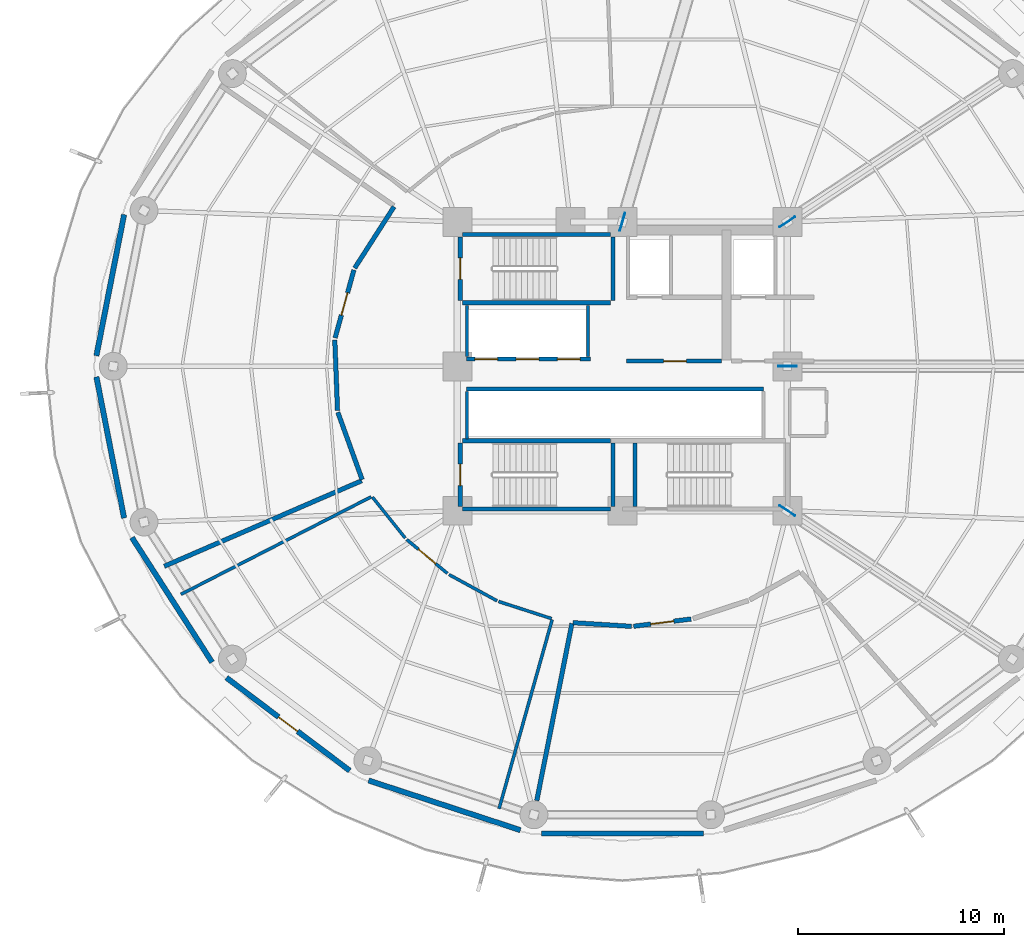
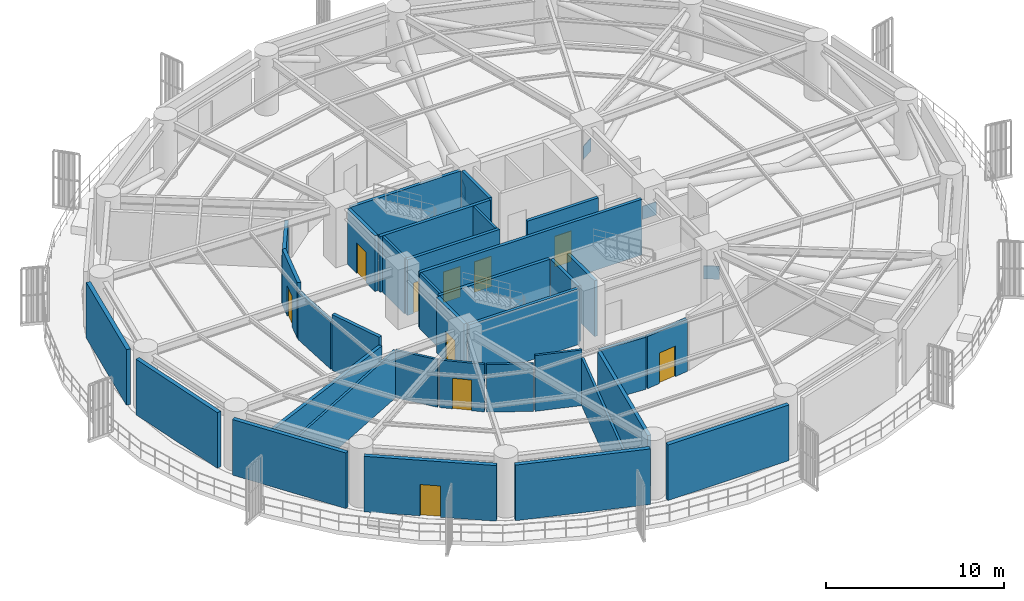
# One storey, part 4 of 10: 35 walls, 10 doors, 4 plates, 10 openings.
"""IFC4 building model written with IfcOpenShell, lengths in metres."""

from ifc_helpers import new_model, si_unit, direction, frame, frame_2d, origin, origin_2d, place, context, subcontext, project, spatial, rectangle, extrude, source, transform, mapped, material, layer, layer_set, type_object, element, fill, save


model = new_model("IFC4")

# Units and contexts
model_context = context("Model", 3, precision=1e-05, world=origin(), true_north=direction((0.0, 1.0)))
body_context = subcontext(model_context, "Body", "Model", "MODEL_VIEW")
ifc_project = project(units=[si_unit("LENGTHUNIT", "METRE"), si_unit("AREAUNIT", "SQUARE_METRE"), si_unit("VOLUMEUNIT", "CUBIC_METRE"), si_unit("PLANEANGLEUNIT", "RADIAN"), si_unit("MASSUNIT", "GRAM", prefix="KILO")], contexts=[model_context])

# Site, building, storey
site_placement = place(None, origin())
site = spatial("IfcSite", under=ifc_project, at=site_placement, CompositionType="ELEMENT")
building_placement = place(site_placement, origin())
building = spatial("IfcBuilding", under=site, at=building_placement, Name="Kelanora Arch Commons", CompositionType="ELEMENT")
storey_placement = place(building_placement, frame((0.0, 0.0, 72.260009765625)))
storey = spatial("IfcBuildingStorey", under=building, at=storey_placement, Name="L18", CompositionType="ELEMENT", Elevation=72.260009765625)

# Plates
ifc_material_1 = material(Name="Steel S355", Category="steel")
ifc_layer_1 = layer(ifc_material_1, 0.0400390625)
ifc_layer_set_1 = layer_set([ifc_layer_1], Name="Steel S355")
plate_type = type_object("IfcPlateType", Name="PLT-OUT-GUS", PredefinedType="SHEET", material=ifc_layer_set_1)
shared_shape = source(origin(), body_context, "Body", "SweptSolid", [
    extrude(rectangle(XDim=0.89990234375, YDim=0.0400390625, at=origin_2d()), origin(), (0.0, 0.0, 1.0), 0.89990234375),
])
for number, where, z_axis, x_axis, name in (
    (1, (82.0, 51.0, 1.465087890625), (0.0, 0.0, 1.0), (0.834790943057, -0.5505670544, 0.0), "Outrigger Gusset Plate 32 L18"),
    (2, (82.0, 58.0, 1.465087890625), (0.0, 0.0, 1.0), (1.0, 0.0, 0.0), "Outrigger Gusset Plate 00 L18"),
    (3, (82.0, 65.0, 1.465087890625), (0.0, 0.0, 1.0), (0.834790943057, 0.5505670544, 0.0), "Outrigger Gusset Plate 04 L18"),
    (4, (74.0, 65.0, 1.465087890625), (0.0, 0.0, 1.0), (0.279105074894, 0.96026056733, 0.0), "Outrigger Gusset Plate 08 L18"),
):
    element("IfcPlate", number, at=place(storey_placement, frame(where, z_axis=z_axis, x_axis=x_axis)), inside=storey, type_object=plate_type, Name=name, PredefinedType="SHEET", context=body_context, shape_type="MappedRepresentation", body=[
        mapped(shared_shape, transform((0.0, 0.0, 0.0), scale=1.0)),
    ])

# Walls
ifc_material_2 = material(Name="Autoclaved aerated concrete blockwork with fire plaster", Category="masonry")
ifc_layer_2 = layer(ifc_material_2, 0.14990234375)
ifc_layer_set_2 = layer_set([ifc_layer_2], Name="Autoclaved aerated concrete blockwork with fire plaster")
wall_type_1 = type_object("IfcWallType", Name="W-COMP-150", PredefinedType="PARTITIONING", material=ifc_layer_set_2)
for number, where, z_axis, x_axis, name in (
    (5, (66.4599609375, 58.47998046875, 0.0), (0.0, 0.0, 1.0), (0.0, 1.0, 0.0), "Low-Rise Lift Bank West Wall L18"),
    (6, (72.340087890625, 58.47998046875, 0.0), (0.0, 0.0, 1.0), (0.0, 1.0, 0.0), "Low-Rise Lift Bank East Wall L18"),
):
    element("IfcWall", number, at=place(storey_placement, frame(where, z_axis=z_axis, x_axis=x_axis)), inside=storey, type_object=wall_type_1, Name=name, PredefinedType="PARTITIONING", context=body_context, shape_type="SweptSolid", body=[
        extrude(rectangle(XDim=2.4599609375, YDim=0.14990234375, at=frame_2d((1.22998046875, 0.0))), origin(), (0.0, 0.0, 1.0), 3.820068359375),
    ])
wall_1_placement = place(storey_placement, frame((66.4599609375, 54.47998046875, 0.0), z_axis=(0.0, 0.0, 1.0), x_axis=(0.0, 1.0, 0.0)))
element("IfcWall", 7, at=wall_1_placement, inside=storey, type_object=wall_type_1, Name="South Lift Bank West Wall L18", PredefinedType="PARTITIONING", context=body_context, shape_type="SweptSolid", body=[
    extrude(rectangle(XDim=2.2900390625, YDim=0.14990234375, at=frame_2d((1.14501953125, 0.0))), origin(), (0.0, 0.0, 1.0), 3.820068359375),
])

# Wall, opening, door
wall_2_placement = place(storey_placement, frame((63.546142578125, 49.599609375, 0.0), z_axis=(0.0, 0.0, 1.0), x_axis=(0.768626986837, -0.639697237063, 0.0)))
wall_2 = element("IfcWall", 8, at=wall_2_placement, inside=storey, type_object=wall_type_1, Name="Domestic Booster Pump and Electrical Switchroom L18 Entry Partition", PredefinedType="PARTITIONING", context=body_context, shape_type="SweptSolid", body=[
    extrude(rectangle(XDim=2.56396484375, YDim=0.14990234375, at=frame_2d((1.281982421875, 0.0))), origin(), (0.0, 0.0, 1.0), 3.264892578125),
])
opening_1_placement = place(wall_2_placement, frame((0.741943359375, 0.0, 0.0)))
opening_1 = element("IfcOpeningElement", 9, at=opening_1_placement, cuts=wall_2, Name="Opening D-PLT1", PredefinedType="OPENING", context=body_context, shape_type="SweptSolid", body=[
    extrude(rectangle(XDim=1.080078125, YDim=2.10009765625, at=frame_2d((0.5400390625, 1.050048828125))), frame((0.0, 0.0849609375, 0.0), z_axis=(0.0, -1.0, 0.0), x_axis=(1.0, 0.0, 0.0)), (0.0, 0.0, 1.0), 0.169921875),
])
ifc_material_3 = material(Name="Galvanised steel plant and riser fire door", Category="steel")
door_type_1 = type_object("IfcDoorType", Name="D-PLT-110", OperationType="NOTDEFINED", PredefinedType="DOOR", material=ifc_material_3)
door_1_placement = place(opening_1_placement, origin())
door_1 = element("IfcDoor", 10, at=door_1_placement, inside=storey, type_object=door_type_1, Name="Domestic Booster Pump and Electrical Switchroom L18 Door", OperationType="SINGLE_SWING_RIGHT", OverallHeight=2.10009765625, OverallWidth=1.080078125, PredefinedType="DOOR", context=body_context, shape_type="SweptSolid", body=[
    extrude(rectangle(XDim=1.080078125, YDim=2.10009765625, at=frame_2d((0.5400390625, 1.050048828125))), frame((0.0, 0.02490234375, 0.0), z_axis=(0.0, -1.0, 0.0), x_axis=(1.0, 0.0, 0.0)), (0.0, 0.0, 1.0), 0.050048828125),
])
fill(opening_1, door_1)

# Walls
wall_3_placement = place(storey_placement, frame((61.883056640625, 51.65869140625, 0.0), z_axis=(0.0, 0.0, 1.0), x_axis=(0.62480020311, -0.780784673385, 0.0)))
element("IfcWall", 11, at=wall_3_placement, inside=storey, type_object=wall_type_1, Name="Domestic Booster Pump and Electrical Switchroom L18 Enclosure Partition 1", PredefinedType="PARTITIONING", context=body_context, shape_type="SweptSolid", body=[
    extrude(rectangle(XDim=2.548095703125, YDim=0.14990234375, at=frame_2d((1.27392578125, 0.0))), origin(), (0.0, 0.0, 1.0), 3.264892578125),
])
wall_4_placement = place(storey_placement, frame((65.59814453125, 47.90185546875, 0.0), z_axis=(0.0, 0.0, 1.0), x_axis=(0.877526475728, -0.479528189366, 0.0)))
element("IfcWall", 12, at=wall_4_placement, inside=storey, type_object=wall_type_1, Name="Domestic Booster Pump and Electrical Switchroom L18 Enclosure Partition 3", PredefinedType="PARTITIONING", context=body_context, shape_type="SweptSolid", body=[
    extrude(rectangle(XDim=2.656005859375, YDim=0.14990234375, at=frame_2d((1.328125, 0.0))), origin(), (0.0, 0.0, 1.0), 3.264892578125),
])
wall_5_placement = place(storey_placement, frame((68.002197265625, 46.5966796875, 0.0), z_axis=(0.0, 0.0, 1.0), x_axis=(0.951591716266, -0.307364938686, 0.0)))
element("IfcWall", 13, at=wall_5_placement, inside=storey, type_object=wall_type_1, Name="Domestic Booster Pump and Electrical Switchroom L18 Enclosure Partition 4", PredefinedType="PARTITIONING", context=body_context, shape_type="SweptSolid", body=[
    extrude(rectangle(XDim=2.6982421875, YDim=0.14990234375, at=frame_2d((1.34912109375, 0.0))), origin(), (0.0, 0.0, 1.0), 3.820068359375),
])
wall_6_placement = place(storey_placement, frame((70.59716796875, 45.716552734375, 0.0), z_axis=(0.0, 0.0, 1.0), x_axis=(-0.270293489238, -0.962777975275, 0.0)))
element("IfcWall", 14, at=wall_6_placement, inside=storey, type_object=wall_type_1, Name="Domestic Booster Pump and Electrical Switchroom L18 Enclosure Partition 5", PredefinedType="PARTITIONING", context=body_context, shape_type="SweptSolid", body=[
    extrude(rectangle(XDim=9.524658203125, YDim=0.14990234375, at=frame_2d((4.76220703125, 0.0))), origin(), (0.0, 0.0, 1.0), 3.264892578125),
])
wall_7_placement = place(storey_placement, frame((52.6015625, 46.943359375, 0.0), z_axis=(0.0, 0.0, 1.0), x_axis=(0.889833896524, 0.456284600439, 0.0)))
element("IfcWall", 15, at=wall_7_placement, inside=storey, type_object=wall_type_1, Name="Domestic Booster Pump and Electrical Switchroom L18 Enclosure Partition 10", PredefinedType="PARTITIONING", context=body_context, shape_type="SweptSolid", body=[
    extrude(rectangle(XDim=10.362548828125, YDim=0.14990234375, at=frame_2d((5.18115234375, 0.0))), origin(), (0.0, 0.0, 1.0), 3.264892578125),
])
ifc_material_4 = material(Name="Precast concrete C40/50 with terracotta rainscreen", Category="masonry")
ifc_layer_3 = layer(ifc_material_4, 0.260009765625)
ifc_layer_set_3 = layer_set([ifc_layer_3], Name="Precast concrete C40/50 with terracotta rainscreen")
wall_type_2 = type_object("IfcWallType", Name="W-EXT-TC", PredefinedType="SOLIDWALL", material=ifc_layer_set_3)
for number, where, z_axis, x_axis, name in (
    (16, (49.84375, 65.356201171875, 0.0), (0.0, 0.0, 1.0), (-0.192608720108, -0.981275639634, 0.0), "Mechanical Louvre Precast Backing Wall L18-09"),
    (17, (48.5, 57.48974609375, 0.0), (0.0, 0.0, 1.0), (0.192608720108, -0.981275639634, 0.0), "Mechanical Louvre Precast Backing Wall L18-10"),
):
    element("IfcWall", number, at=place(storey_placement, frame(where, z_axis=z_axis, x_axis=x_axis)), inside=storey, type_object=wall_type_2, Name=name, PredefinedType="SOLIDWALL", context=body_context, shape_type="SweptSolid", body=[
        extrude(rectangle(XDim=6.9765625, YDim=0.260009765625, at=frame_2d((3.48828125, 0.0))), origin(), (0.0, 0.0, 1.0), 3.81494140625),
    ])
wall_8_placement = place(storey_placement, frame((50.22509765625, 49.696044921875, 0.0), z_axis=(0.0, 0.0, 1.0), x_axis=(0.540604690505, -0.841276749116, 0.0)))
element("IfcWall", 18, at=wall_8_placement, inside=storey, type_object=wall_type_2, Name="Mechanical Louvre Precast Backing Wall L18-11", PredefinedType="SOLIDWALL", context=body_context, shape_type="SweptSolid", body=[
    extrude(rectangle(XDim=7.182861328125, YDim=0.260009765625, at=frame_2d((3.59130859375, 0.0))), origin(), (0.0, 0.0, 1.0), 3.81494140625),
])

# Wall, opening, door
wall_9_placement = place(storey_placement, frame((54.804443359375, 42.90283203125, 0.0), z_axis=(0.0, 0.0, 1.0), x_axis=(0.798511093866, -0.601980093502, 0.0)))
wall_9 = element("IfcWall", 19, at=wall_9_placement, inside=storey, type_object=wall_type_2, Name="Mechanical Louvre Precast Backing Wall L18-12", PredefinedType="SOLIDWALL", context=body_context, shape_type="SweptSolid", body=[
    extrude(rectangle(XDim=7.489501953125, YDim=0.260009765625, at=frame_2d((3.74462890625, 0.0))), origin(), (0.0, 0.0, 1.0), 3.81494140625),
])
opening_2_placement = place(wall_9_placement, frame((3.169921875, 0.0, 0.0)))
opening_2 = element("IfcOpeningElement", 20, at=opening_2_placement, cuts=wall_9, Name="Opening DT-01", PredefinedType="OPENING", context=body_context, shape_type="SweptSolid", body=[
    extrude(rectangle(XDim=1.14990234375, YDim=2.14990234375, at=frame_2d((0.574951171875, 1.074951171875))), frame((0.0, 0.14013671875, 0.0), z_axis=(0.0, -1.0, 0.0), x_axis=(1.0, 0.0, 0.0)), (0.0, 0.0, 1.0), 0.280029296875),
])
ifc_material_5 = material(Name="Weather-sealed aluminium terrace door", Category="aluminium")
door_type_2 = type_object("IfcDoorType", Name="D-TERR-12", OperationType="NOTDEFINED", PredefinedType="DOOR", material=ifc_material_5)
door_2_placement = place(opening_2_placement, frame((1.14990234375, 0.0, 0.0), z_axis=(0.0, 0.0, 1.0), x_axis=(-1.0, 0.0, 0.0)))
door_2 = element("IfcDoor", 21, at=door_2_placement, inside=storey, type_object=door_type_2, Name="Setback Terrace Maintenance Door L18-11", OperationType="SINGLE_SWING_RIGHT", OverallHeight=2.14990234375, OverallWidth=1.14990234375, PredefinedType="DOOR", context=body_context, shape_type="SweptSolid", body=[
    extrude(rectangle(XDim=1.14990234375, YDim=2.14990234375, at=frame_2d((0.574951171875, 1.074951171875))), frame((0.0, 0.02490234375, 0.0), z_axis=(0.0, -1.0, 0.0), x_axis=(1.0, 0.0, 0.0)), (0.0, 0.0, 1.0), 0.050048828125),
])
fill(opening_2, door_2)

# Walls
wall_10_placement = place(storey_placement, frame((61.694091796875, 37.919921875, 0.0), z_axis=(0.0, 0.0, 1.0), x_axis=(0.950466692879, -0.310826423792, 0.0)))
element("IfcWall", 22, at=wall_10_placement, inside=storey, type_object=wall_type_2, Name="Mechanical Louvre Precast Backing Wall L18-13", PredefinedType="SOLIDWALL", context=body_context, shape_type="SweptSolid", body=[
    extrude(rectangle(XDim=7.75, YDim=0.260009765625, at=frame_2d((3.875, 0.0))), origin(), (0.0, 0.0, 1.0), 3.81494140625),
])
wall_11_placement = place(storey_placement, frame((70.07470703125, 35.349365234375, 0.0), z_axis=(0.0, 0.0, 1.0), x_axis=(1.0, 0.0, 0.0)))
element("IfcWall", 23, at=wall_11_placement, inside=storey, type_object=wall_type_2, Name="Mechanical Louvre Precast Backing Wall L18-14", PredefinedType="SOLIDWALL", context=body_context, shape_type="SweptSolid", body=[
    extrude(rectangle(XDim=7.8505859375, YDim=0.260009765625, at=frame_2d((3.92529296875, 0.0))), origin(), (0.0, 0.0, 1.0), 3.81494140625),
])

# Wall, opening, door
ifc_material_6 = material(Name="Concrete C40/50", Category="concrete")
ifc_layer_4 = layer(ifc_material_6, 0.199951171875)
ifc_layer_set_4 = layer_set([ifc_layer_4], Name="Concrete C40/50")
wall_type_3 = type_object("IfcWallType", Name="W-FFL-200", PredefinedType="SOLIDWALL", material=ifc_layer_set_4)
wall_12_placement = place(storey_placement, frame((74.199951171875, 58.25, 0.0), z_axis=(0.0, 0.0, 1.0), x_axis=(1.0, 0.0, 0.0)))
wall_12 = element("IfcWall", 24, at=wall_12_placement, inside=storey, type_object=wall_type_3, Name="Firefighting Lobby 1 Enclosure Wall L18", PredefinedType="SOLIDWALL", context=body_context, shape_type="SweptSolid", body=[
    extrude(rectangle(XDim=4.60009765625, YDim=0.199951171875, at=frame_2d((2.300048828125, 0.0))), origin(), (0.0, 0.0, 1.0), 3.820068359375),
])
opening_3_placement = place(wall_12_placement, frame((1.800048828125, 0.0, 0.0)))
opening_3 = element("IfcOpeningElement", 25, at=opening_3_placement, cuts=wall_12, Name="Opening D-FFL1", PredefinedType="OPENING", context=body_context, shape_type="SweptSolid", body=[
    extrude(rectangle(XDim=1.10009765625, YDim=2.10009765625, at=frame_2d((0.550048828125, 1.050048828125))), frame((0.0, 0.10986328125, 0.0), z_axis=(0.0, -1.0, 0.0), x_axis=(1.0, 0.0, 0.0)), (0.0, 0.0, 1.0), 0.219970703125),
])
ifc_material_7 = material(Name="Smoke-sealed firefighting lobby fire door")
door_type_3 = type_object("IfcDoorType", Name="D-FFL-110", OperationType="NOTDEFINED", PredefinedType="DOOR", material=ifc_material_7)
door_3_placement = place(opening_3_placement, frame((1.10009765625, 0.0, 0.0), z_axis=(0.0, 0.0, 1.0), x_axis=(-1.0, 0.0, 0.0)))
door_3 = element("IfcDoor", 26, at=door_3_placement, inside=storey, type_object=door_type_3, Name="Firefighting Lobby 1 Door L18", OperationType="SINGLE_SWING_LEFT", OverallHeight=2.10009765625, OverallWidth=1.10009765625, PredefinedType="DOOR", context=body_context, shape_type="SweptSolid", body=[
    extrude(rectangle(XDim=1.10009765625, YDim=2.10009765625, at=frame_2d((0.550048828125, 1.050048828125))), frame((0.0, 0.02490234375, 0.0), z_axis=(0.0, -1.0, 0.0), x_axis=(1.0, 0.0, 0.0)), (0.0, 0.0, 1.0), 0.050048828125),
])
fill(opening_3, door_3)

# Wall, openings, doors
wall_13_placement = place(storey_placement, frame((66.449951171875, 58.35009765625, 0.0), z_axis=(0.0, 0.0, 1.0), x_axis=(1.0, 0.0, 0.0)))
wall_13 = element("IfcWall", 27, at=wall_13_placement, inside=storey, type_object=wall_type_3, Name="Low-Rise Passenger Lift Shaft Front L18", PredefinedType="SOLIDWALL", context=body_context, shape_type="SweptSolid", body=[
    extrude(rectangle(XDim=6.0, YDim=0.199951171875, at=frame_2d((3.0, 0.0))), origin(), (0.0, 0.0, 1.0), 3.820068359375),
])
opening_4_placement = place(wall_13_placement, frame((0.39990234375, 0.0, 0.0)))
opening_4 = element("IfcOpeningElement", 28, at=opening_4_placement, cuts=wall_13, Name="Opening LD-01", PredefinedType="OPENING", context=body_context, shape_type="SweptSolid", body=[
    extrude(rectangle(XDim=1.10009765625, YDim=2.10009765625, at=frame_2d((0.550048828125, 1.050048828125))), frame((0.0, 0.10986328125, 0.0), z_axis=(0.0, -1.0, 0.0), x_axis=(1.0, 0.0, 0.0)), (0.0, 0.0, 1.0), 0.219970703125),
])
opening_5_placement = place(wall_13_placement, frame((2.39990234375, 0.0, 0.0)))
opening_5 = element("IfcOpeningElement", 29, at=opening_5_placement, cuts=wall_13, Name="Opening LD-01", PredefinedType="OPENING", context=body_context, shape_type="SweptSolid", body=[
    extrude(rectangle(XDim=1.10009765625, YDim=2.10009765625, at=frame_2d((0.550048828125, 1.050048828125))), frame((0.0, 0.10986328125, 0.0), z_axis=(0.0, -1.0, 0.0), x_axis=(1.0, 0.0, 0.0)), (0.0, 0.0, 1.0), 0.219970703125),
])
opening_6_placement = place(wall_13_placement, frame((4.39990234375, 0.0, 0.0)))
opening_6 = element("IfcOpeningElement", 30, at=opening_6_placement, cuts=wall_13, Name="Opening LD-01", PredefinedType="OPENING", context=body_context, shape_type="SweptSolid", body=[
    extrude(rectangle(XDim=1.10009765625, YDim=2.10009765625, at=frame_2d((0.550048828125, 1.050048828125))), frame((0.0, 0.10986328125, 0.0), z_axis=(0.0, -1.0, 0.0), x_axis=(1.0, 0.0, 0.0)), (0.0, 0.0, 1.0), 0.219970703125),
])
ifc_material_8 = material(Name="Stainless steel passenger lift sliding landing door", Category="steel")
door_type_4 = type_object("IfcDoorType", Name="D-LIFT-110", OperationType="NOTDEFINED", PredefinedType="DOOR", material=ifc_material_8)
door_4_placement = place(opening_4_placement, origin())
door_4 = element("IfcDoor", 31, at=door_4_placement, inside=storey, type_object=door_type_4, Name="Passenger Lift LF-P1 Landing Door L18", OperationType="DOUBLE_DOOR_SLIDING", OverallHeight=2.10009765625, OverallWidth=1.10009765625, PredefinedType="DOOR", context=body_context, shape_type="SweptSolid", body=[
    extrude(rectangle(XDim=1.10009765625, YDim=2.10009765625, at=frame_2d((0.550048828125, 1.050048828125))), frame((0.0, 0.02490234375, 0.0), z_axis=(0.0, -1.0, 0.0), x_axis=(1.0, 0.0, 0.0)), (0.0, 0.0, 1.0), 0.050048828125),
])
fill(opening_4, door_4)
door_5_placement = place(opening_5_placement, origin())
door_5 = element("IfcDoor", 32, at=door_5_placement, inside=storey, type_object=door_type_4, Name="Passenger Lift LF-P2 Landing Door L18", OperationType="DOUBLE_DOOR_SLIDING", OverallHeight=2.10009765625, OverallWidth=1.10009765625, PredefinedType="DOOR", context=body_context, shape_type="SweptSolid", body=[
    extrude(rectangle(XDim=1.10009765625, YDim=2.10009765625, at=frame_2d((0.550048828125, 1.050048828125))), frame((0.0, 0.02490234375, 0.0), z_axis=(0.0, -1.0, 0.0), x_axis=(1.0, 0.0, 0.0)), (0.0, 0.0, 1.0), 0.050048828125),
])
fill(opening_5, door_5)
door_6_placement = place(opening_6_placement, origin())
door_6 = element("IfcDoor", 33, at=door_6_placement, inside=storey, type_object=door_type_4, Name="Passenger Lift LF-P3 Landing Door L18", OperationType="DOUBLE_DOOR_SLIDING", OverallHeight=2.10009765625, OverallWidth=1.10009765625, PredefinedType="DOOR", context=body_context, shape_type="SweptSolid", body=[
    extrude(rectangle(XDim=1.10009765625, YDim=2.10009765625, at=frame_2d((0.550048828125, 1.050048828125))), frame((0.0, 0.02490234375, 0.0), z_axis=(0.0, -1.0, 0.0), x_axis=(1.0, 0.0, 0.0)), (0.0, 0.0, 1.0), 0.050048828125),
])
fill(opening_6, door_6)

# Wall
wall_14_placement = place(storey_placement, frame((66.449951171875, 56.89990234375, 0.0), z_axis=(0.0, 0.0, 1.0), x_axis=(1.0, 0.0, 0.0)))
element("IfcWall", 34, at=wall_14_placement, inside=storey, type_object=wall_type_3, Name="Mid/High/Express Lift Shaft Front L18", PredefinedType="SOLIDWALL", context=body_context, shape_type="SweptSolid", body=[
    extrude(rectangle(XDim=14.400146484375, YDim=0.199951171875, at=frame_2d((7.2001953125, 0.0))), origin(), (0.0, 0.0, 1.0), 3.820068359375),
])

# Wall, opening, door
ifc_layer_5 = layer(ifc_material_6, 0.219970703125)
ifc_layer_set_5 = layer_set([ifc_layer_5], Name="Concrete C40/50")
wall_type_4 = type_object("IfcWallType", Name="W-REF-200", PredefinedType="SOLIDWALL", material=ifc_layer_set_5)
wall_15_placement = place(storey_placement, frame((60.985107421875, 62.670166015625, 0.0), z_axis=(0.0, 0.0, 1.0), x_axis=(-0.266899498811, -0.96372436803, 0.0)))
wall_15 = element("IfcWall", 35, at=wall_15_placement, inside=storey, type_object=wall_type_4, Name="Protected Fire Refuge Holding Area L18-West Entry Partition", PredefinedType="SOLIDWALL", context=body_context, shape_type="SweptSolid", body=[
    extrude(rectangle(XDim=3.41748046875, YDim=0.219970703125, at=frame_2d((1.708740234375, 0.0))), origin(), (0.0, 0.0, 1.0), 3.820068359375),
])
opening_7_placement = place(wall_15_placement, frame((1.14892578125, 0.0, 0.0)))
opening_7 = element("IfcOpeningElement", 36, at=opening_7_placement, cuts=wall_15, Name="Opening D-REF1", PredefinedType="OPENING", context=body_context, shape_type="SweptSolid", body=[
    extrude(rectangle(XDim=1.1201171875, YDim=2.10009765625, at=frame_2d((0.56005859375, 1.050048828125))), frame((0.0, 0.1201171875, 0.0), z_axis=(0.0, -1.0, 0.0), x_axis=(1.0, 0.0, 0.0)), (0.0, 0.0, 1.0), 0.239990234375),
])
ifc_material_9 = material(Name="Two-hour fire refuge holding room door")
door_type_5 = type_object("IfcDoorType", Name="D-REF-110", OperationType="NOTDEFINED", PredefinedType="DOOR", material=ifc_material_9)
door_7_placement = place(opening_7_placement, origin())
door_7 = element("IfcDoor", 37, at=door_7_placement, inside=storey, type_object=door_type_5, Name="Protected Fire Refuge Holding Area L18-West Door", OperationType="SINGLE_SWING_LEFT", OverallHeight=2.10009765625, OverallWidth=1.1201171875, PredefinedType="DOOR", context=body_context, shape_type="SweptSolid", body=[
    extrude(rectangle(XDim=1.1201171875, YDim=2.10009765625, at=frame_2d((0.56005859375, 1.050048828125))), frame((0.0, 0.02490234375, 0.0), z_axis=(0.0, -1.0, 0.0), x_axis=(1.0, 0.0, 0.0)), (0.0, 0.0, 1.0), 0.050048828125),
])
fill(opening_7, door_7)

wall_16_placement = place(storey_placement, frame((74.548583984375, 45.3955078125, 0.0), z_axis=(0.0, 0.0, 1.0), x_axis=(0.992098832507, 0.125458784221, 0.0)))
wall_16 = element("IfcWall", 38, at=wall_16_placement, inside=storey, type_object=wall_type_4, Name="Protected Fire Refuge Holding Area L18-South Entry Partition", PredefinedType="SOLIDWALL", context=body_context, shape_type="SweptSolid", body=[
    extrude(rectangle(XDim=2.80615234375, YDim=0.219970703125, at=frame_2d((1.403076171875, 0.0))), origin(), (0.0, 0.0, 1.0), 3.574951171875),
])
opening_8_placement = place(wall_16_placement, frame((0.843017578125, 0.0, 0.0)))
opening_8 = element("IfcOpeningElement", 39, at=opening_8_placement, cuts=wall_16, Name="Opening D-REF1", PredefinedType="OPENING", context=body_context, shape_type="SweptSolid", body=[
    extrude(rectangle(XDim=1.1201171875, YDim=2.10009765625, at=frame_2d((0.56005859375, 1.050048828125))), frame((0.0, 0.1201171875, 0.0), z_axis=(0.0, -1.0, 0.0), x_axis=(1.0, 0.0, 0.0)), (0.0, 0.0, 1.0), 0.239990234375),
])
door_8_placement = place(opening_8_placement, origin())
door_8 = element("IfcDoor", 40, at=door_8_placement, inside=storey, type_object=door_type_5, Name="Protected Fire Refuge Holding Area L18-South Door", OperationType="SINGLE_SWING_LEFT", OverallHeight=2.10009765625, OverallWidth=1.1201171875, PredefinedType="DOOR", context=body_context, shape_type="SweptSolid", body=[
    extrude(rectangle(XDim=1.1201171875, YDim=2.10009765625, at=frame_2d((0.56005859375, 1.050048828125))), frame((0.0, 0.02490234375, 0.0), z_axis=(0.0, -1.0, 0.0), x_axis=(1.0, 0.0, 0.0)), (0.0, 0.0, 1.0), 0.050048828125),
])
fill(opening_8, door_8)

# Walls
wall_17_placement = place(storey_placement, frame((62.930419921875, 65.736328125, 0.0), z_axis=(0.0, 0.0, 1.0), x_axis=(-0.539849412271, -0.841761612376, 0.0)))
element("IfcWall", 41, at=wall_17_placement, inside=storey, type_object=wall_type_4, Name="Protected Fire Refuge Holding Area L18-West Enclosure Partition 1", PredefinedType="SOLIDWALL", context=body_context, shape_type="SweptSolid", body=[
    extrude(rectangle(XDim=3.53369140625, YDim=0.219970703125, at=frame_2d((1.766845703125, 0.0))), origin(), (0.0, 0.0, 1.0), 3.264892578125),
])
wall_18_placement = place(storey_placement, frame((60.05859375, 59.279052734375, 0.0), z_axis=(0.0, 0.0, 1.0), x_axis=(0.038692620907, -0.999251160163, 0.0)))
element("IfcWall", 42, at=wall_18_placement, inside=storey, type_object=wall_type_4, Name="Protected Fire Refuge Holding Area L18-West Enclosure Partition 3", PredefinedType="SOLIDWALL", context=body_context, shape_type="SweptSolid", body=[
    extrude(rectangle(XDim=3.4326171875, YDim=0.219970703125, at=frame_2d((1.71630859375, 0.0))), origin(), (0.0, 0.0, 1.0), 3.264892578125),
])
wall_19_placement = place(storey_placement, frame((60.20654296875, 55.771484375, 0.0), z_axis=(0.0, 0.0, 1.0), x_axis=(0.339545974416, -0.940589459466, 0.0)))
element("IfcWall", 43, at=wall_19_placement, inside=storey, type_object=wall_type_4, Name="Protected Fire Refuge Holding Area L18-West Enclosure Partition 4", PredefinedType="SOLIDWALL", context=body_context, shape_type="SweptSolid", body=[
    extrude(rectangle(XDim=3.47216796875, YDim=0.219970703125, at=frame_2d((1.736083984375, 0.0))), origin(), (0.0, 0.0, 1.0), 3.820068359375),
])
wall_20_placement = place(storey_placement, frame((61.3623046875, 52.4521484375, 0.0), z_axis=(0.0, 0.0, 1.0), x_axis=(-0.917590634209, -0.397526638116, 0.0)))
element("IfcWall", 44, at=wall_20_placement, inside=storey, type_object=wall_type_4, Name="Protected Fire Refuge Holding Area L18-West Enclosure Partition 5", PredefinedType="SOLIDWALL", context=body_context, shape_type="SweptSolid", body=[
    extrude(rectangle(XDim=10.43017578125, YDim=0.219970703125, at=frame_2d((5.215087890625, 0.0))), origin(), (0.0, 0.0, 1.0), 3.264892578125),
])
wall_21_placement = place(storey_placement, frame((71.60498046875, 45.569580078125, 0.0), z_axis=(0.0, 0.0, 1.0), x_axis=(0.998021119096, -0.062879613855, 0.0)))
element("IfcWall", 45, at=wall_21_placement, inside=storey, type_object=wall_type_4, Name="Protected Fire Refuge Holding Area L18-South Enclosure Partition 1", PredefinedType="SOLIDWALL", context=body_context, shape_type="SweptSolid", body=[
    extrude(rectangle(XDim=2.849853515625, YDim=0.219970703125, at=frame_2d((1.4248046875, 0.0))), origin(), (0.0, 0.0, 1.0), 3.574951171875),
])
wall_22_placement = place(storey_placement, frame((69.851806640625, 36.94189453125, 0.0), z_axis=(0.0, 0.0, 1.0), x_axis=(0.194706106276, 0.980861627437, 0.0)))
element("IfcWall", 46, at=wall_22_placement, inside=storey, type_object=wall_type_4, Name="Protected Fire Refuge Holding Area L18-South Enclosure Partition 10", PredefinedType="SOLIDWALL", context=body_context, shape_type="SweptSolid", body=[
    extrude(rectangle(XDim=8.758544921875, YDim=0.219970703125, at=frame_2d((4.37939453125, 0.0))), origin(), (0.0, 0.0, 1.0), 3.514892578125),
])
ifc_layer_6 = layer(ifc_material_6, 0.199951171875)
ifc_layer_set_6 = layer_set([ifc_layer_6], Name="Concrete C40/50")
wall_type_5 = type_object("IfcWallType", Name="W-STAIR-200", PredefinedType="SHEAR", material=ifc_layer_set_6)
wall_23_placement = place(storey_placement, frame((66.260009765625, 61.080078125, 0.0), z_axis=(0.0, 0.0, 1.0), x_axis=(1.0, 0.0, 0.0)))
element("IfcWall", 47, at=wall_23_placement, inside=storey, type_object=wall_type_5, Name="Stair ST-T1 Shaft Wall S L18", PredefinedType="SHEAR", context=body_context, shape_type="SweptSolid", body=[
    extrude(rectangle(XDim=7.159912109375, YDim=0.199951171875, at=frame_2d((3.580078125, 0.0))), origin(), (0.0, 0.0, 1.0), 3.830078125),
])
wall_24_placement = place(storey_placement, frame((73.5400390625, 61.199951171875, 0.0), z_axis=(0.0, 0.0, 1.0), x_axis=(0.0, 1.0, 0.0)))
element("IfcWall", 48, at=wall_24_placement, inside=storey, type_object=wall_type_5, Name="Stair ST-T1 Shaft Wall E L18", PredefinedType="SHEAR", context=body_context, shape_type="SweptSolid", body=[
    extrude(rectangle(XDim=3.070068359375, YDim=0.199951171875, at=frame_2d((1.53515625, 0.0))), origin(), (0.0, 0.0, 1.0), 3.830078125),
])
wall_25_placement = place(storey_placement, frame((73.419921875, 64.389892578125, 0.0), z_axis=(0.0, 0.0, 1.0), x_axis=(-1.0, 0.0, 0.0)))
element("IfcWall", 49, at=wall_25_placement, inside=storey, type_object=wall_type_5, Name="Stair ST-T1 Shaft Wall N L18", PredefinedType="SHEAR", context=body_context, shape_type="SweptSolid", body=[
    extrude(rectangle(XDim=7.159912109375, YDim=0.199951171875, at=frame_2d((3.580078125, 0.0))), origin(), (0.0, 0.0, 1.0), 3.830078125),
])

# Wall, opening, door
wall_26_placement = place(storey_placement, frame((66.139892578125, 64.27001953125, 0.0), z_axis=(0.0, 0.0, 1.0), x_axis=(0.0, -1.0, 0.0)))
wall_26 = element("IfcWall", 50, at=wall_26_placement, inside=storey, type_object=wall_type_5, Name="Stair ST-T1 Shaft Wall W L18", PredefinedType="SHEAR", context=body_context, shape_type="SweptSolid", body=[
    extrude(rectangle(XDim=3.070068359375, YDim=0.199951171875, at=frame_2d((1.53515625, 0.0))), origin(), (0.0, 0.0, 1.0), 3.830078125),
])
opening_9_placement = place(wall_26_placement, frame((1.010009765625, 0.0, 0.0)))
opening_9 = element("IfcOpeningElement", 51, at=opening_9_placement, cuts=wall_26, Name="Opening D-ST1", PredefinedType="OPENING", context=body_context, shape_type="SweptSolid", body=[
    extrude(rectangle(XDim=1.050048828125, YDim=2.10009765625, at=frame_2d((0.52490234375, 1.050048828125))), frame((0.0, 0.10986328125, 0.0), z_axis=(0.0, -1.0, 0.0), x_axis=(1.0, 0.0, 0.0)), (0.0, 0.0, 1.0), 0.219970703125),
])
ifc_material_10 = material(Name="Steel fire-rated stairwell escape door", Category="steel")
door_type_6 = type_object("IfcDoorType", Name="D-STAIR-110", OperationType="NOTDEFINED", PredefinedType="DOOR", material=ifc_material_10)
door_9_placement = place(opening_9_placement, origin())
door_9 = element("IfcDoor", 52, at=door_9_placement, inside=storey, type_object=door_type_6, Name="Stair ST-T1 Escape Door L18", OperationType="SINGLE_SWING_LEFT", OverallHeight=2.10009765625, OverallWidth=1.050048828125, PredefinedType="DOOR", context=body_context, shape_type="SweptSolid", body=[
    extrude(rectangle(XDim=1.050048828125, YDim=2.10009765625, at=frame_2d((0.52490234375, 1.050048828125))), frame((0.0, 0.02490234375, 0.0), z_axis=(0.0, -1.0, 0.0), x_axis=(1.0, 0.0, 0.0)), (0.0, 0.0, 1.0), 0.050048828125),
])
fill(opening_9, door_9)

# Walls
wall_27_placement = place(storey_placement, frame((74.6201171875, 54.27001953125, 0.0), z_axis=(0.0, 0.0, 1.0), x_axis=(0.0, -1.0, 0.0)))
element("IfcWall", 53, at=wall_27_placement, inside=storey, type_object=wall_type_5, Name="Stair ST-T2 Shaft Wall W L18", PredefinedType="SHEAR", context=body_context, shape_type="SweptSolid", body=[
    extrude(rectangle(XDim=3.070068359375, YDim=0.199951171875, at=frame_2d((1.53515625, 0.0))), origin(), (0.0, 0.0, 1.0), 3.830078125),
])
wall_28_placement = place(storey_placement, frame((66.260009765625, 51.080078125, 0.0), z_axis=(0.0, 0.0, 1.0), x_axis=(1.0, 0.0, 0.0)))
element("IfcWall", 54, at=wall_28_placement, inside=storey, type_object=wall_type_5, Name="Stair ST-T3 Shaft Wall S L18", PredefinedType="SHEAR", context=body_context, shape_type="SweptSolid", body=[
    extrude(rectangle(XDim=7.159912109375, YDim=0.199951171875, at=frame_2d((3.580078125, 0.0))), origin(), (0.0, 0.0, 1.0), 3.830078125),
])
wall_29_placement = place(storey_placement, frame((73.5400390625, 51.199951171875, 0.0), z_axis=(0.0, 0.0, 1.0), x_axis=(0.0, 1.0, 0.0)))
element("IfcWall", 55, at=wall_29_placement, inside=storey, type_object=wall_type_5, Name="Stair ST-T3 Shaft Wall E L18", PredefinedType="SHEAR", context=body_context, shape_type="SweptSolid", body=[
    extrude(rectangle(XDim=3.070068359375, YDim=0.199951171875, at=frame_2d((1.53515625, 0.0))), origin(), (0.0, 0.0, 1.0), 3.830078125),
])
wall_30_placement = place(storey_placement, frame((73.419921875, 54.389892578125, 0.0), z_axis=(0.0, 0.0, 1.0), x_axis=(-1.0, 0.0, 0.0)))
element("IfcWall", 56, at=wall_30_placement, inside=storey, type_object=wall_type_5, Name="Stair ST-T3 Shaft Wall N L18", PredefinedType="SHEAR", context=body_context, shape_type="SweptSolid", body=[
    extrude(rectangle(XDim=7.159912109375, YDim=0.199951171875, at=frame_2d((3.580078125, 0.0))), origin(), (0.0, 0.0, 1.0), 3.830078125),
])

# Wall, opening, door
wall_31_placement = place(storey_placement, frame((66.139892578125, 54.27001953125, 0.0), z_axis=(0.0, 0.0, 1.0), x_axis=(0.0, -1.0, 0.0)))
wall_31 = element("IfcWall", 57, at=wall_31_placement, inside=storey, type_object=wall_type_5, Name="Stair ST-T3 Shaft Wall W L18", PredefinedType="SHEAR", context=body_context, shape_type="SweptSolid", body=[
    extrude(rectangle(XDim=3.070068359375, YDim=0.199951171875, at=frame_2d((1.53515625, 0.0))), origin(), (0.0, 0.0, 1.0), 3.830078125),
])
opening_10_placement = place(wall_31_placement, frame((1.010009765625, 0.0, 0.0)))
opening_10 = element("IfcOpeningElement", 58, at=opening_10_placement, cuts=wall_31, Name="Opening D-ST1", PredefinedType="OPENING", context=body_context, shape_type="SweptSolid", body=[
    extrude(rectangle(XDim=1.050048828125, YDim=2.10009765625, at=frame_2d((0.52490234375, 1.050048828125))), frame((0.0, 0.10986328125, 0.0), z_axis=(0.0, -1.0, 0.0), x_axis=(1.0, 0.0, 0.0)), (0.0, 0.0, 1.0), 0.219970703125),
])
door_10_placement = place(opening_10_placement, origin())
door_10 = element("IfcDoor", 59, at=door_10_placement, inside=storey, type_object=door_type_6, Name="Stair ST-T3 Escape Door L18", OperationType="SINGLE_SWING_LEFT", OverallHeight=2.10009765625, OverallWidth=1.050048828125, PredefinedType="DOOR", context=body_context, shape_type="SweptSolid", body=[
    extrude(rectangle(XDim=1.050048828125, YDim=2.10009765625, at=frame_2d((0.52490234375, 1.050048828125))), frame((0.0, 0.02490234375, 0.0), z_axis=(0.0, -1.0, 0.0), x_axis=(1.0, 0.0, 0.0)), (0.0, 0.0, 1.0), 0.050048828125),
])
fill(opening_10, door_10)

save(model, "model.ifc")
